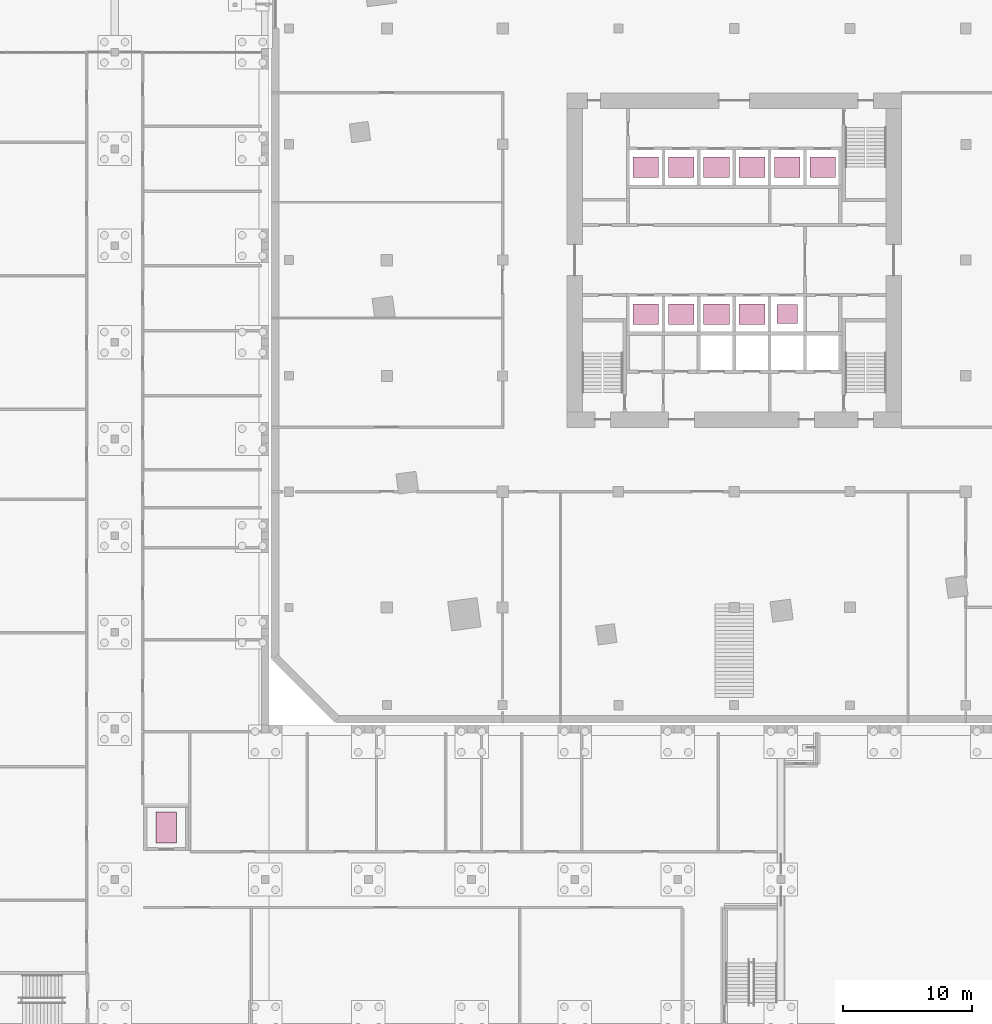
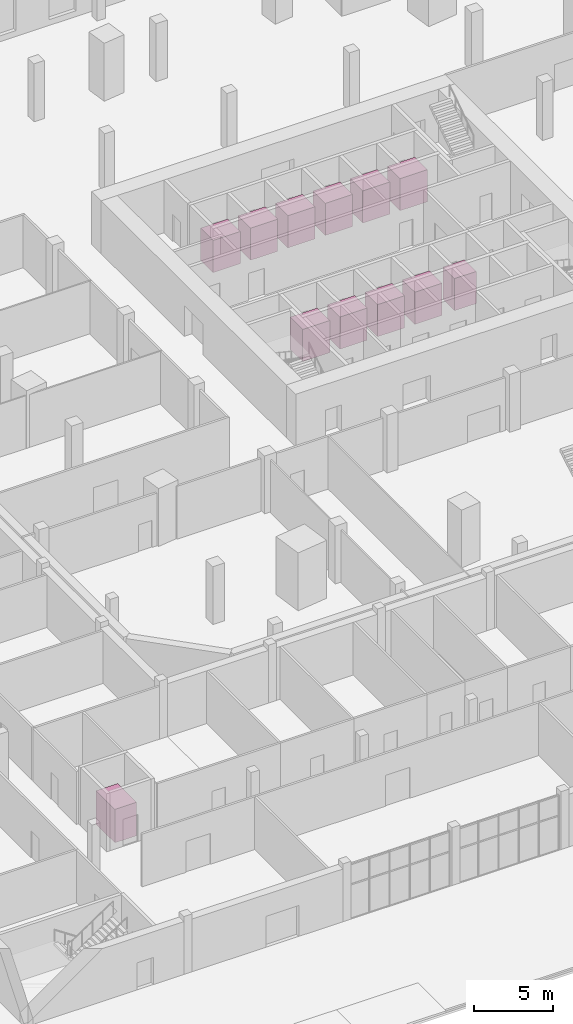
# One storey, part 42 of 42: 12 transport elements.
"""IFC4 building model written with IfcOpenShell, lengths in metres."""

import ifcopenshell
import ifcopenshell.guid

model = None  # the IFC model being written
_history = None  # IfcOwnerHistory: only IFC2X3 demands one
_inside = {}  # id of a spatial element -> (the spatial element, [elements in it])
_under = {}  # id of a project, library or spatial element -> (it, [spatial elements below it])
_declared = {}  # id of a project -> (the project, [libraries it declares])
_typed = {}  # id of a type object -> (the type object, [elements of that type])
_made_of = {}  # id of a material, layer set ... -> (it, [elements and type objects made of it])


def new_model(schema):
    """Start an empty IFC model of exactly this schema.

    Asked for "IFC4X3", IfcOpenShell would pick the latest addendum, in which some entities
    have other attributes; the version numbers below select the first issue.
    IFC2X3 requires an IfcOwnerHistory on every rooted entity: one is made here for all.
    """
    global model, _history
    if schema == "IFC4X3":
        model = ifcopenshell.file(schema_version=(4, 3, 0, 0))
    else:
        model = ifcopenshell.file(schema=schema)
    _inside.clear()
    _under.clear()
    _declared.clear()
    _typed.clear()
    _made_of.clear()
    _history = None
    if model.schema == "IFC2X3":
        org = make("IfcOrganization", Name="unknown")
        user = make(
            "IfcPersonAndOrganization",
            ThePerson=make("IfcPerson", FamilyName="unknown"),
            TheOrganization=org,
        )
        app = make(
            "IfcApplication",
            ApplicationDeveloper=org,
            Version="unknown",
            ApplicationFullName="unknown",
            ApplicationIdentifier="unknown",
        )
        _history = make(
            "IfcOwnerHistory",
            OwningUser=user,
            OwningApplication=app,
            ChangeAction="ADDED",
            CreationDate=0,
        )
    return model


def make(cls, **values):
    """One entity of the class cls with the attributes given. An attribute that is None is left unset."""
    return model.create_entity(
        cls, **{name: value for name, value in values.items() if value is not None}
    )


def rooted(cls, **values):
    """An entity with a GlobalId (a new one), such as an element, a storey or a relation."""
    return make(cls, GlobalId=ifcopenshell.guid.new(), OwnerHistory=_history, **values)


def si_unit(unit_type, name, prefix=None):
    """IfcSIUnit, for example si_unit("LENGTHUNIT", "METRE", prefix="MILLI")."""
    return make("IfcSIUnit", UnitType=unit_type, Prefix=prefix, Name=name)


def assignment(units):
    """IfcUnitAssignment: the units of a project."""
    return None if units is None else make("IfcUnitAssignment", Units=units)


def point(xyz):
    """IfcCartesianPoint."""
    return None if xyz is None else make("IfcCartesianPoint", Coordinates=xyz)


def direction(xyz):
    """IfcDirection."""
    return None if xyz is None else make("IfcDirection", DirectionRatios=xyz)


def frame(location, z_axis=None, x_axis=None):
    """IfcAxis2Placement3D, a coordinate frame: its origin and axes. An axis left out is left unset."""
    return make(
        "IfcAxis2Placement3D",
        Location=point(location),
        Axis=direction(z_axis),
        RefDirection=direction(x_axis),
    )


def frame_2d(location, x_axis=None):
    """IfcAxis2Placement2D, a coordinate frame in the plane: its origin and x axis."""
    return make(
        "IfcAxis2Placement2D", Location=point(location), RefDirection=direction(x_axis)
    )


def origin():
    """The frame at (0, 0, 0) with its axes left unset."""
    return frame((0.0, 0.0, 0.0))


def origin_2d():
    """The frame at (0, 0) in the plane with its x axis left unset."""
    return frame_2d((0.0, 0.0))


def place(relative_to, where):
    """IfcLocalPlacement: puts the frame where relative to a parent placement (None: the world)."""
    return make(
        "IfcLocalPlacement", PlacementRelTo=relative_to, RelativePlacement=where
    )


def context(
    kind, dimensions, precision=None, world=None, true_north=None, identifier=None
):
    """IfcGeometricRepresentationContext, for example the 3D "Model" context."""
    return make(
        "IfcGeometricRepresentationContext",
        ContextIdentifier=identifier,
        ContextType=kind,
        CoordinateSpaceDimension=dimensions,
        Precision=precision,
        WorldCoordinateSystem=world,
        TrueNorth=true_north,
    )


def subcontext(parent, identifier, kind, view, scale=None):
    """IfcGeometricRepresentationSubContext, for example "Body" below "Model"."""
    return make(
        "IfcGeometricRepresentationSubContext",
        ContextIdentifier=identifier,
        ContextType=kind,
        ParentContext=parent,
        TargetScale=scale,
        TargetView=view,
    )


def project(units=None, contexts=None):
    """IfcProject with its units and contexts."""
    return rooted(
        "IfcProject",
        Name="project",
        RepresentationContexts=contexts,
        UnitsInContext=assignment(units),
    )


def spatial(cls, under=None, at=None, **own):
    """A site, building, storey or space (cls), placed at a placement, below another one or the project."""
    s = rooted(cls, ObjectPlacement=at, **own)
    if under is not None:
        _under.setdefault(under.id(), (under, []))[1].append(s)
    return s


def profile(cls, at=None, kind="AREA", **sizes):
    """A parametric profile (cls). Its sizes go by their IFC names, for example OverallWidth=200.0."""
    return make(cls, ProfileType=kind, Position=at, **sizes)


def rectangle(**sizes):
    """IfcRectangleProfileDef."""
    return profile("IfcRectangleProfileDef", **sizes)


def extrude(swept, where, along, depth):
    """IfcExtrudedAreaSolid: the profile swept, set in the frame where, extruded along a direction by depth."""
    return make(
        "IfcExtrudedAreaSolid",
        SweptArea=swept,
        Position=where,
        ExtrudedDirection=direction(along),
        Depth=depth,
    )


def shape(context_of_items, identifier, shape_type, items):
    """IfcShapeRepresentation: the items that make up one representation, for example the "Body"."""
    return make(
        "IfcShapeRepresentation",
        ContextOfItems=context_of_items,
        RepresentationIdentifier=identifier,
        RepresentationType=shape_type,
        Items=items,
    )


def material(Name=None, Category=None):
    """IfcMaterial."""
    return make("IfcMaterial", Name=Name, Category=Category)


def made_of(thing, what):
    """Note that an element or type object is made of a material, layer set ...; save() writes the relation."""
    if what is not None:
        _made_of.setdefault(what.id(), (what, []))[1].append(thing)
    return thing


def type_object(cls, material=None, **own):
    """A type object (cls), such as IfcWallType, which elements share."""
    return made_of(rooted(cls, **own), material)


def element(
    cls,
    number,
    at=None,
    inside=None,
    cuts=None,
    type_object=None,
    material=None,
    context=None,
    identifier="Body",
    shape_type=None,
    held_by="IfcProductDefinitionShape",
    body=None,
    shapes=None,
    **own,
):
    """One element of the class cls, such as IfcWall. Its Tag is "e" and its number.

    at: its placement. inside: the storey or other place that contains it. cuts: it is an
    opening in that element (IfcRelVoidsElement). A single representation is given by context,
    identifier, shape_type and body (its items); several are given by shapes. held_by: the class
    of the entity that holds the representations. save() writes the other relations.
    """
    e = rooted(cls, Tag="e%d" % number, ObjectPlacement=at, **own)
    if body is not None:
        shapes = [shape(context, identifier, shape_type, body)]
    if shapes is not None:
        e.Representation = make(held_by, Representations=shapes)
    if inside is not None:
        _inside.setdefault(inside.id(), (inside, []))[1].append(e)
    if cuts is not None:
        rooted(
            "IfcRelVoidsElement", RelatingBuildingElement=cuts, RelatedOpeningElement=e
        )
    if type_object is not None:
        _typed.setdefault(type_object.id(), (type_object, []))[1].append(e)
    return made_of(e, material)


def aggregate(whole, parts):
    """IfcRelAggregates: a whole, such as a stair, and the parts it consists of."""
    return rooted("IfcRelAggregates", RelatingObject=whole, RelatedObjects=parts)


def save(model, path):
    """Write the relations noted so far, then the file.

    IfcRelAggregates (storeys below a building ...), IfcRelContainedInSpatialStructure (elements
    in a storey), IfcRelDefinesByType, IfcRelAssociatesMaterial and IfcRelDeclares: one each for
    every whole, place, type object, material and project.
    """
    for whole, parts in _under.values():
        aggregate(whole, parts)
    for where, things in _inside.values():
        rooted(
            "IfcRelContainedInSpatialStructure",
            RelatedElements=things,
            RelatingStructure=where,
        )
    for kind, things in _typed.values():
        rooted("IfcRelDefinesByType", RelatedObjects=things, RelatingType=kind)
    for what, things in _made_of.values():
        rooted("IfcRelAssociatesMaterial", RelatedObjects=things, RelatingMaterial=what)
    for by, libraries in _declared.values():
        rooted("IfcRelDeclares", RelatingContext=by, RelatedDefinitions=libraries)
    model.write(path)


model = new_model("IFC4")

# Units and contexts
model_context = context("Model", 3, precision=1e-05, world=origin(), true_north=direction((0.0, 1.0)))
body_context = subcontext(model_context, "Body", "Model", "MODEL_VIEW")
ifc_project = project(units=[si_unit("LENGTHUNIT", "METRE"), si_unit("AREAUNIT", "SQUARE_METRE"), si_unit("VOLUMEUNIT", "CUBIC_METRE"), si_unit("PLANEANGLEUNIT", "RADIAN"), si_unit("MASSUNIT", "GRAM", prefix="KILO")], contexts=[model_context])

# Site, building, storey
site_placement = place(None, origin())
site = spatial("IfcSite", under=ifc_project, at=site_placement, CompositionType="ELEMENT")
building_placement = place(site_placement, origin())
building = spatial("IfcBuilding", under=site, at=building_placement, Name="Dilmun Exchange Tower", CompositionType="ELEMENT")
storey_placement = place(building_placement, origin())
storey = spatial("IfcBuildingStorey", under=building, at=storey_placement, Name="L00", CompositionType="ELEMENT", Elevation=0.0)

# Transport elements
ifc_material = material(Name="Stainless steel", Category="steel")
transport_element_type_1 = type_object("IfcTransportElementType", Name="Observation lift car 1600x1500", PredefinedType="ELEVATOR", material=ifc_material)
transport_element_1_placement = place(storey_placement, frame((4.125, -4.199951171875, 0.0), z_axis=(0.0, 0.0, 1.0), x_axis=(1.0, 0.0, 0.0)))
element("IfcTransportElement", 1, at=transport_element_1_placement, inside=storey, type_object=transport_element_type_1, Name="Observation lift OB1", PredefinedType="ELEVATOR", context=body_context, shape_type="SweptSolid", body=[
    extrude(rectangle(XDim=1.60009765625, YDim=1.5, at=origin_2d()), origin(), (0.0, 0.0, 1.0), 2.5),
])
transport_element_type_2 = type_object("IfcTransportElementType", Name="Passenger lift car 2000x1600", PredefinedType="ELEVATOR", material=ifc_material)
for number, where, z_axis, x_axis, name in (
    (2, (-6.875, 7.199951171875, 0.0), (0.0, 0.0, 1.0), (1.0, 0.0, 0.0), "Low-rise lift LR1"),
    (3, (-4.125, 7.199951171875, 0.0), (0.0, 0.0, 1.0), (1.0, 0.0, 0.0), "Low-rise lift LR2"),
    (4, (-1.375, 7.199951171875, 0.0), (0.0, 0.0, 1.0), (1.0, 0.0, 0.0), "Low-rise lift LR3"),
    (5, (1.375, 7.199951171875, 0.0), (0.0, 0.0, 1.0), (1.0, 0.0, 0.0), "Low-rise lift LR4"),
    (6, (4.125, 7.199951171875, 0.0), (0.0, 0.0, 1.0), (1.0, 0.0, 0.0), "Low-rise lift LR5"),
    (7, (6.875, 7.199951171875, 0.0), (0.0, 0.0, 1.0), (1.0, 0.0, 0.0), "Low-rise lift LR6"),
    (8, (-6.875, -4.199951171875, 0.0), (0.0, 0.0, 1.0), (1.0, 0.0, 0.0), "Shuttle lift SH30-1 (ground to sky lobby L30)"),
    (9, (-4.125, -4.199951171875, 0.0), (0.0, 0.0, 1.0), (1.0, 0.0, 0.0), "Shuttle lift SH30-2 (ground to sky lobby L30)"),
    (10, (-1.375, -4.199951171875, 0.0), (0.0, 0.0, 1.0), (1.0, 0.0, 0.0), "Shuttle lift SH56-1 (ground to sky lobby L56)"),
    (11, (1.375, -4.199951171875, 0.0), (0.0, 0.0, 1.0), (1.0, 0.0, 0.0), "Shuttle lift SH56-2 (ground to sky lobby L56)"),
):
    element("IfcTransportElement", number, at=place(storey_placement, frame(where, z_axis=z_axis, x_axis=x_axis)), inside=storey, type_object=transport_element_type_2, Name=name, PredefinedType="ELEVATOR", context=body_context, shape_type="SweptSolid", body=[
        extrude(rectangle(XDim=2.0, YDim=1.60009765625, at=origin_2d()), origin(), (0.0, 0.0, 1.0), 2.5),
    ])
transport_element_type_3 = type_object("IfcTransportElementType", Name="School lift car 1600 x 2400", PredefinedType="ELEVATOR", material=ifc_material)
transport_element_2_placement = place(storey_placement, frame((-44.14990234375, -44.10009765625, 0.0), z_axis=(0.0, 0.0, 1.0), x_axis=(1.0, 0.0, 0.0)))
element("IfcTransportElement", 12, at=transport_element_2_placement, inside=storey, type_object=transport_element_type_3, Name="School lift", PredefinedType="ELEVATOR", context=body_context, shape_type="SweptSolid", body=[
    extrude(rectangle(XDim=1.60009765625, YDim=2.39990234375, at=origin_2d()), origin(), (0.0, 0.0, 1.0), 2.60009765625),
])

save(model, "model.ifc")
